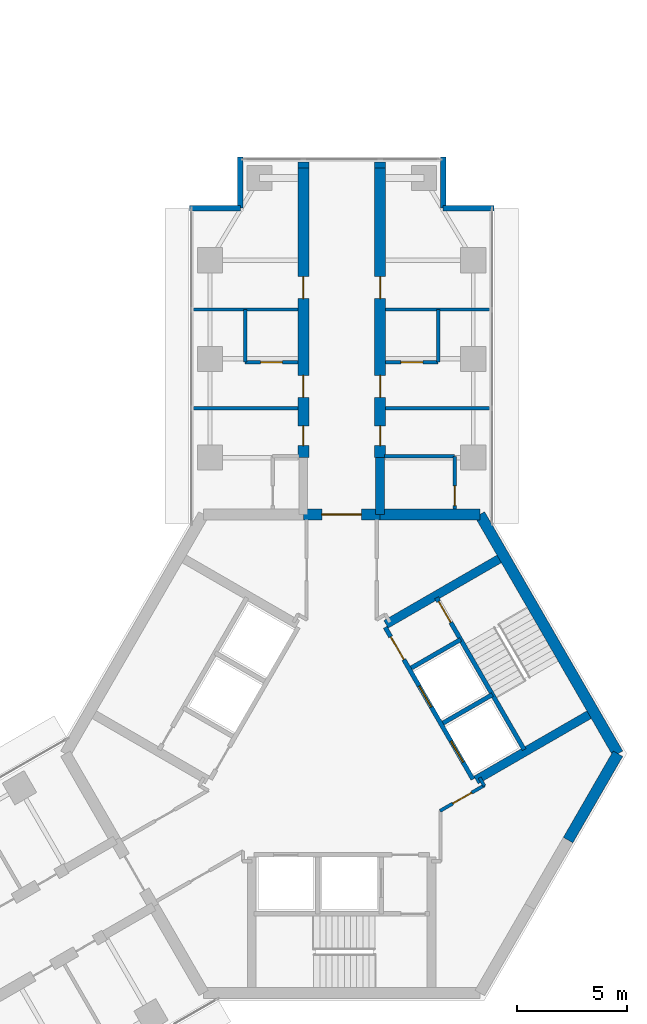
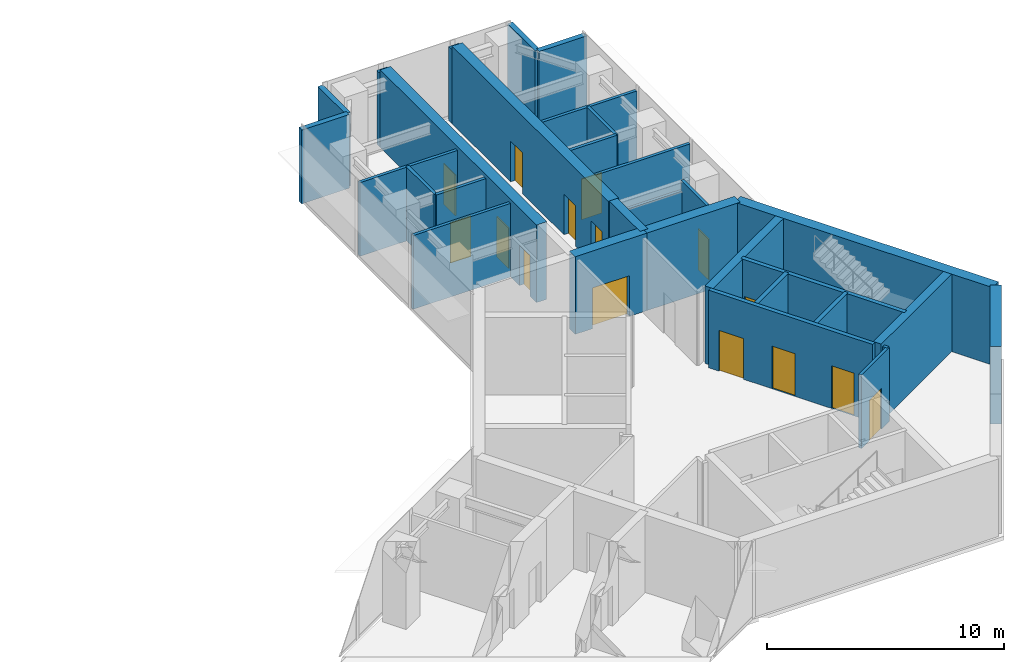
# One storey, part 15 of 17: 31 walls, 15 doors, 15 openings.
"""IFC4 building model written with IfcOpenShell, lengths in metres."""

from ifc_helpers import new_model, si_unit, direction, frame, frame_2d, origin, place, context, subcontext, project, spatial, rectangle, extrude, material, layer, layer_set, type_object, element, fill, save


model = new_model("IFC4")

# Units and contexts
model_context = context("Model", 3, precision=1e-05, world=origin(), true_north=direction((0.0, 1.0)))
body_context = subcontext(model_context, "Body", "Model", "MODEL_VIEW")
ifc_project = project(units=[si_unit("LENGTHUNIT", "METRE"), si_unit("AREAUNIT", "SQUARE_METRE"), si_unit("VOLUMEUNIT", "CUBIC_METRE"), si_unit("PLANEANGLEUNIT", "RADIAN"), si_unit("MASSUNIT", "GRAM", prefix="KILO")], contexts=[model_context])

# Site, building, storey
site_placement = place(None, origin())
site = spatial("IfcSite", under=ifc_project, at=site_placement, CompositionType="ELEMENT")
building_placement = place(site_placement, origin())
building = spatial("IfcBuilding", under=site, at=building_placement, Name="Upepo Twin Towers", CompositionType="ELEMENT")
storey_placement = place(building_placement, frame((0.0, 0.0, 202.5)))
storey = spatial("IfcBuildingStorey", under=building, at=storey_placement, Name="L49", CompositionType="ELEMENT", Elevation=202.5)

# Walls
ifc_material_1 = material(Name="Dense concrete blockwork", Category="masonry")
ifc_layer_1 = layer(ifc_material_1, 0.5)
ifc_layer_set_1 = layer_set([ifc_layer_1], Name="Buttress closer 500, blockwork with fire-stopping to the curtain wall")
wall_type_1 = type_object("IfcWallType", Name="Buttress closer 500, blockwork with fire-stopping to the curtain wall", PredefinedType="PARTITIONING", material=ifc_layer_set_1)
for number, where, z_axis, x_axis, name in (
    (1, (56.75, 8.699951171875, 0.0), (0.0, 0.0, 1.0), (0.0, 1.0, 0.0), "T2 L49 wing A buttress closer L"),
    (2, (60.25, 8.699951171875, 0.0), (0.0, 0.0, 1.0), (0.0, 1.0, 0.0), "T2 L49 wing A buttress closer R"),
):
    element("IfcWall", number, at=place(storey_placement, frame(where, z_axis=z_axis, x_axis=x_axis)), inside=storey, type_object=wall_type_1, Name=name, PredefinedType="PARTITIONING", context=body_context, shape_type="SweptSolid", body=[
        extrude(rectangle(XDim=0.28759765625, YDim=0.5, at=frame_2d((0.143798828125, 0.0))), origin(), (0.0, 0.0, 1.0), 3.800048828125),
    ])
ifc_material_2 = material(Name="Concrete C60/75", Category="concrete")
ifc_layer_2 = layer(ifc_material_2, 0.39990234375)
ifc_layer_set_2 = layer_set([ifc_layer_2], Name="Concrete C60/75")
wall_type_2 = type_object("IfcWallType", Name="Buttress wall 400 RC", PredefinedType="SHEAR", material=ifc_layer_set_2)
wall_1_placement = place(storey_placement, frame((60.25, -7.091552734375, 0.0), z_axis=(0.0, 0.0, 1.0), x_axis=(0.0, 1.0, 0.0)))
element("IfcWall", 3, at=wall_1_placement, inside=storey, type_object=wall_type_2, Name="T2 wing A buttress wall R", PredefinedType="SHEAR", context=body_context, shape_type="SweptSolid", body=[
    extrude(rectangle(XDim=2.591552734375, YDim=0.39990234375, at=frame_2d((1.2958984375, 0.0))), origin(), (0.0, 0.0, 1.0), 4.0),
])

# Wall, openings, doors
ifc_material_3 = material(Name="Concrete C60/75", Category="concrete")
ifc_layer_3 = layer(ifc_material_3, 0.5)
ifc_layer_set_3 = layer_set([ifc_layer_3], Name="Concrete C60/75")
wall_type_3 = type_object("IfcWallType", Name="Buttress wall 500 RC", PredefinedType="SHEAR", material=ifc_layer_set_3)
wall_2_placement = place(storey_placement, frame((56.75, -4.5, 0.0), z_axis=(0.0, 0.0, 1.0), x_axis=(0.0, 1.0, 0.0)))
wall_2 = element("IfcWall", 4, at=wall_2_placement, inside=storey, type_object=wall_type_3, Name="T2 wing A buttress wall L part 2", PredefinedType="SHEAR", context=body_context, shape_type="SweptSolid", body=[
    extrude(rectangle(XDim=13.199951171875, YDim=0.5, at=frame_2d((6.60009765625, 0.0))), origin(), (0.0, 0.0, 1.0), 4.0),
])
opening_1_placement = place(wall_2_placement, frame((0.550048828125, 0.0, 0.0)))
opening_1 = element("IfcOpeningElement", 5, at=opening_1_placement, cuts=wall_2, Name="Opening D11", PredefinedType="OPENING", context=body_context, shape_type="SweptSolid", body=[
    extrude(rectangle(XDim=0.89990234375, YDim=2.10009765625, at=frame_2d((0.449951171875, 1.050048828125))), frame((0.0, 0.260009765625, 0.0), z_axis=(0.0, -1.0, 0.0), x_axis=(1.0, 0.0, 0.0)), (0.0, 0.0, 1.0), 0.52001953125),
])
opening_2_placement = place(wall_2_placement, frame((2.75, 0.0, 0.0)))
opening_2 = element("IfcOpeningElement", 6, at=opening_2_placement, cuts=wall_2, Name="Opening D1", PredefinedType="OPENING", context=body_context, shape_type="SweptSolid", body=[
    extrude(rectangle(XDim=1.0, YDim=2.10009765625, at=frame_2d((0.5, 1.050048828125))), frame((0.0, 0.260009765625, 0.0), z_axis=(0.0, -1.0, 0.0), x_axis=(1.0, 0.0, 0.0)), (0.0, 0.0, 1.0), 0.52001953125),
])
opening_3_placement = place(wall_2_placement, frame((7.25, 0.0, 0.0)))
opening_3 = element("IfcOpeningElement", 7, at=opening_3_placement, cuts=wall_2, Name="Opening D1", PredefinedType="OPENING", context=body_context, shape_type="SweptSolid", body=[
    extrude(rectangle(XDim=1.0, YDim=2.10009765625, at=frame_2d((0.5, 1.050048828125))), frame((0.0, 0.260009765625, 0.0), z_axis=(0.0, -1.0, 0.0), x_axis=(1.0, 0.0, 0.0)), (0.0, 0.0, 1.0), 0.52001953125),
])
ifc_material_4 = material(Name="Timber doorset", Category="wood")
door_type_1 = type_object("IfcDoorType", Name="Room door 1000 FD30", OperationType="SINGLE_SWING_LEFT", PredefinedType="DOOR", material=ifc_material_4)
door_1_placement = place(opening_2_placement, origin())
door_1 = element("IfcDoor", 8, at=door_1_placement, inside=storey, type_object=door_type_1, Name="T2 L49 tutorial room door", OperationType="SINGLE_SWING_LEFT", OverallHeight=2.10009765625, OverallWidth=1.0, PredefinedType="DOOR", context=body_context, shape_type="SweptSolid", body=[
    extrude(rectangle(XDim=1.0, YDim=2.10009765625, at=frame_2d((0.5, 1.050048828125))), frame((0.0, 0.02490234375, 0.0), z_axis=(0.0, -1.0, 0.0), x_axis=(1.0, 0.0, 0.0)), (0.0, 0.0, 1.0), 0.050048828125),
])
fill(opening_2, door_1)
door_2_placement = place(opening_3_placement, origin())
door_2 = element("IfcDoor", 9, at=door_2_placement, inside=storey, type_object=door_type_1, Name="T2 L49 staff office door", OperationType="SINGLE_SWING_RIGHT", OverallHeight=2.10009765625, OverallWidth=1.0, PredefinedType="DOOR", context=body_context, shape_type="SweptSolid", body=[
    extrude(rectangle(XDim=1.0, YDim=2.10009765625, at=frame_2d((0.5, 1.050048828125))), frame((0.0, 0.02490234375, 0.0), z_axis=(0.0, -1.0, 0.0), x_axis=(1.0, 0.0, 0.0)), (0.0, 0.0, 1.0), 0.050048828125),
])
fill(opening_3, door_2)
ifc_material_5 = material(Name="Timber doorset", Category="wood")
door_type_2 = type_object("IfcDoorType", Name="Toilet door 900", OperationType="SINGLE_SWING_LEFT", PredefinedType="DOOR", material=ifc_material_5)
door_3_placement = place(opening_1_placement, origin())
door_3 = element("IfcDoor", 10, at=door_3_placement, inside=storey, type_object=door_type_2, Name="T2 L49 toilets door", OperationType="SINGLE_SWING_LEFT", OverallHeight=2.10009765625, OverallWidth=0.89990234375, PredefinedType="DOOR", context=body_context, shape_type="SweptSolid", body=[
    extrude(rectangle(XDim=0.89990234375, YDim=2.10009765625, at=frame_2d((0.449951171875, 1.050048828125))), frame((0.0, 0.02490234375, 0.0), z_axis=(0.0, -1.0, 0.0), x_axis=(1.0, 0.0, 0.0)), (0.0, 0.0, 1.0), 0.050048828125),
])
fill(opening_1, door_3)

wall_3_placement = place(storey_placement, frame((60.25, -4.5, 0.0), z_axis=(0.0, 0.0, 1.0), x_axis=(0.0, 1.0, 0.0)))
wall_3 = element("IfcWall", 11, at=wall_3_placement, inside=storey, type_object=wall_type_3, Name="T2 wing A buttress wall R part 2", PredefinedType="SHEAR", context=body_context, shape_type="SweptSolid", body=[
    extrude(rectangle(XDim=13.199951171875, YDim=0.5, at=frame_2d((6.60009765625, 0.0))), origin(), (0.0, 0.0, 1.0), 4.0),
])
opening_4_placement = place(wall_3_placement, frame((0.550048828125, 0.0, 0.0)))
opening_4 = element("IfcOpeningElement", 12, at=opening_4_placement, cuts=wall_3, Name="Opening D11", PredefinedType="OPENING", context=body_context, shape_type="SweptSolid", body=[
    extrude(rectangle(XDim=0.89990234375, YDim=2.10009765625, at=frame_2d((0.449951171875, 1.050048828125))), frame((0.0, 0.260009765625, 0.0), z_axis=(0.0, -1.0, 0.0), x_axis=(1.0, 0.0, 0.0)), (0.0, 0.0, 1.0), 0.52001953125),
])
opening_5_placement = place(wall_3_placement, frame((2.75, 0.0, 0.0)))
opening_5 = element("IfcOpeningElement", 13, at=opening_5_placement, cuts=wall_3, Name="Opening D1", PredefinedType="OPENING", context=body_context, shape_type="SweptSolid", body=[
    extrude(rectangle(XDim=1.0, YDim=2.10009765625, at=frame_2d((0.5, 1.050048828125))), frame((0.0, 0.260009765625, 0.0), z_axis=(0.0, -1.0, 0.0), x_axis=(1.0, 0.0, 0.0)), (0.0, 0.0, 1.0), 0.52001953125),
])
opening_6_placement = place(wall_3_placement, frame((7.25, 0.0, 0.0)))
opening_6 = element("IfcOpeningElement", 14, at=opening_6_placement, cuts=wall_3, Name="Opening D1", PredefinedType="OPENING", context=body_context, shape_type="SweptSolid", body=[
    extrude(rectangle(XDim=1.0, YDim=2.10009765625, at=frame_2d((0.5, 1.050048828125))), frame((0.0, 0.260009765625, 0.0), z_axis=(0.0, -1.0, 0.0), x_axis=(1.0, 0.0, 0.0)), (0.0, 0.0, 1.0), 0.52001953125),
])
door_4_placement = place(opening_5_placement, origin())
door_4 = element("IfcDoor", 15, at=door_4_placement, inside=storey, type_object=door_type_1, Name="T2 L49 seminar room door", OperationType="SINGLE_SWING_LEFT", OverallHeight=2.10009765625, OverallWidth=1.0, PredefinedType="DOOR", context=body_context, shape_type="SweptSolid", body=[
    extrude(rectangle(XDim=1.0, YDim=2.10009765625, at=frame_2d((0.5, 1.050048828125))), frame((0.0, 0.02490234375, 0.0), z_axis=(0.0, -1.0, 0.0), x_axis=(1.0, 0.0, 0.0)), (0.0, 0.0, 1.0), 0.050048828125),
])
fill(opening_5, door_4)
door_5_placement = place(opening_6_placement, origin())
door_5 = element("IfcDoor", 16, at=door_5_placement, inside=storey, type_object=door_type_1, Name="T2 L49 tutorial room door", OperationType="SINGLE_SWING_RIGHT", OverallHeight=2.10009765625, OverallWidth=1.0, PredefinedType="DOOR", context=body_context, shape_type="SweptSolid", body=[
    extrude(rectangle(XDim=1.0, YDim=2.10009765625, at=frame_2d((0.5, 1.050048828125))), frame((0.0, 0.02490234375, 0.0), z_axis=(0.0, -1.0, 0.0), x_axis=(1.0, 0.0, 0.0)), (0.0, 0.0, 1.0), 0.050048828125),
])
fill(opening_6, door_5)
door_6_placement = place(opening_4_placement, origin())
door_6 = element("IfcDoor", 17, at=door_6_placement, inside=storey, type_object=door_type_2, Name="T2 L49 accessible wc door", OperationType="SINGLE_SWING_LEFT", OverallHeight=2.10009765625, OverallWidth=0.89990234375, PredefinedType="DOOR", context=body_context, shape_type="SweptSolid", body=[
    extrude(rectangle(XDim=0.89990234375, YDim=2.10009765625, at=frame_2d((0.449951171875, 1.050048828125))), frame((0.0, 0.02490234375, 0.0), z_axis=(0.0, -1.0, 0.0), x_axis=(1.0, 0.0, 0.0)), (0.0, 0.0, 1.0), 0.050048828125),
])
fill(opening_4, door_6)

# Wall
ifc_material_6 = material(Name="Concrete C60/75", Category="concrete")
ifc_layer_4 = layer(ifc_material_6, 0.5)
ifc_layer_set_4 = layer_set([ifc_layer_4], Name="Concrete C60/75")
wall_type_4 = type_object("IfcWallType", Name="Core wall 500 RC", PredefinedType="SHEAR", material=ifc_layer_set_4)
wall_4_placement = place(storey_placement, frame((64.7978515625, -7.091552734375, 0.0), z_axis=(0.0, 0.0, 1.0), x_axis=(-1.0, 0.0, 0.0)))
element("IfcWall", 18, at=wall_4_placement, inside=storey, type_object=wall_type_4, Name="T2 core wall 000 R", PredefinedType="SHEAR", context=body_context, shape_type="SweptSolid", body=[
    extrude(rectangle(XDim=4.5478515625, YDim=0.5, at=frame_2d((2.27392578125, 0.0))), origin(), (0.0, 0.0, 1.0), 4.0),
])

# Wall, opening, door
wall_5_placement = place(storey_placement, frame((60.25, -7.091552734375, 0.0), z_axis=(0.0, 0.0, 1.0), x_axis=(-1.0, 0.0, 0.0)))
wall_5 = element("IfcWall", 19, at=wall_5_placement, inside=storey, type_object=wall_type_4, Name="T2 core wall 000", PredefinedType="SHEAR", context=body_context, shape_type="SweptSolid", body=[
    extrude(rectangle(XDim=3.5, YDim=0.5, at=frame_2d((1.75, 0.0))), origin(), (0.0, 0.0, 1.0), 4.0),
])
opening_7_placement = place(wall_5_placement, frame((0.85009765625, 0.0, 0.0)))
opening_7 = element("IfcOpeningElement", 20, at=opening_7_placement, cuts=wall_5, Name="Opening D2", PredefinedType="OPENING", context=body_context, shape_type="SweptSolid", body=[
    extrude(rectangle(XDim=1.800048828125, YDim=2.10009765625, at=frame_2d((0.89990234375, 1.050048828125))), frame((0.0, 0.260009765625, 0.0), z_axis=(0.0, -1.0, 0.0), x_axis=(1.0, 0.0, 0.0)), (0.0, 0.0, 1.0), 0.52001953125),
])
ifc_material_7 = material(Name="Timber doorset", Category="wood")
door_type_3 = type_object("IfcDoorType", Name="Corridor double door 1800 FD60", OperationType="DOUBLE_DOOR_DOUBLE_SWING", PredefinedType="DOOR", material=ifc_material_7)
door_7_placement = place(opening_7_placement, origin())
door_7 = element("IfcDoor", 21, at=door_7_placement, inside=storey, type_object=door_type_3, Name="T2 L49 wing A corridor door", OperationType="DOUBLE_DOOR_DOUBLE_SWING", OverallHeight=2.10009765625, OverallWidth=1.800048828125, PredefinedType="DOOR", context=body_context, shape_type="SweptSolid", body=[
    extrude(rectangle(XDim=1.800048828125, YDim=2.10009765625, at=frame_2d((0.89990234375, 1.050048828125))), frame((0.0, 0.02490234375, 0.0), z_axis=(0.0, -1.0, 0.0), x_axis=(1.0, 0.0, 0.0)), (0.0, 0.0, 1.0), 0.050048828125),
])
fill(opening_7, door_7)

# Walls
wall_6_placement = place(storey_placement, frame((68.82177734375, -21.938720703125, 0.0), z_axis=(0.0, 0.0, 1.0), x_axis=(0.500024481964, 0.866011268655, 0.0)))
element("IfcWall", 22, at=wall_6_placement, inside=storey, type_object=wall_type_4, Name="T2 core wall 240 L", PredefinedType="SHEAR", context=body_context, shape_type="SweptSolid", body=[
    extrude(rectangle(XDim=4.548095703125, YDim=0.5, at=frame_2d((2.27392578125, 0.0))), origin(), (0.0, 0.0, 1.0), 4.0),
])
wall_7_placement = place(storey_placement, frame((71.095947265625, -18.0, 0.0), z_axis=(0.0, 0.0, 1.0), x_axis=(-0.500005998175, 0.866021940709, 0.0)))
element("IfcWall", 23, at=wall_7_placement, inside=storey, type_object=wall_type_4, Name="T2 core wall 300", PredefinedType="SHEAR", context=body_context, shape_type="SweptSolid", body=[
    extrude(rectangle(XDim=12.595947265625, YDim=0.5, at=frame_2d((6.2978515625, 0.0))), origin(), (0.0, 0.0, 1.0), 4.0),
])
ifc_material_8 = material(Name="Blockwork with anodised aluminium cladding", Category="masonry")
ifc_layer_5 = layer(ifc_material_8, 0.25)
ifc_layer_set_5 = layer_set([ifc_layer_5], Name="Notch cladding wall 250, pale metal")
wall_type_5 = type_object("IfcWallType", Name="Notch cladding wall 250, pale metal", PredefinedType="STANDARD", material=ifc_layer_set_5)
for number, where, z_axis, x_axis, name in (
    (24, (51.550048828125, 6.875, 0.0), (0.0, 0.0, 1.0), (1.0, 0.0, 0.0), "T2 L49 wing A notch wall L1"),
    (25, (53.875, 6.875, 0.0), (0.0, 0.0, 1.0), (0.0, 1.0, 0.0), "T2 L49 wing A notch wall L2"),
    (26, (65.449951171875, 6.875, 0.0), (0.0, 0.0, 1.0), (-1.0, 0.0, 0.0), "T2 L49 wing A notch wall R1"),
    (27, (63.125, 6.875, 0.0), (0.0, 0.0, 1.0), (0.0, 1.0, 0.0), "T2 L49 wing A notch wall R2"),
):
    element("IfcWall", number, at=place(storey_placement, frame(where, z_axis=z_axis, x_axis=x_axis)), inside=storey, type_object=wall_type_5, Name=name, PredefinedType="STANDARD", context=body_context, shape_type="SweptSolid", body=[
        extrude(rectangle(XDim=2.324951171875, YDim=0.25, at=frame_2d((1.16259765625, 0.0))), origin(), (0.0, 0.0, 1.0), 3.800048828125),
    ])

# Wall, openings, doors
ifc_material_9 = material(Name="Concrete C40/50", Category="concrete")
ifc_layer_6 = layer(ifc_material_9, 0.199951171875)
ifc_layer_set_6 = layer_set([ifc_layer_6], Name="Concrete C40/50")
wall_type_6 = type_object("IfcWallType", Name="Shaft wall 200 RC", PredefinedType="SHEAR", material=ifc_layer_set_6)
wall_8_placement = place(storey_placement, frame((64.483642578125, -19.1640625, 0.0), z_axis=(0.0, 0.0, 1.0), x_axis=(-0.49999894854, 0.866026010844, 0.0)))
wall_8 = element("IfcWall", 28, at=wall_8_placement, inside=storey, type_object=wall_type_6, Name="T2 core W300 front wall", PredefinedType="SHEAR", context=body_context, shape_type="SweptSolid", body=[
    extrude(rectangle(XDim=8.0, YDim=0.199951171875, at=frame_2d((4.0, 0.0))), origin(), (0.0, 0.0, 1.0), 4.0),
])
opening_8_placement = place(wall_8_placement, frame((6.300048828125, 0.0, 0.0)))
opening_8 = element("IfcOpeningElement", 29, at=opening_8_placement, cuts=wall_8, Name="Opening D4", PredefinedType="OPENING", context=body_context, shape_type="SweptSolid", body=[
    extrude(rectangle(XDim=1.199951171875, YDim=2.10009765625, at=frame_2d((0.60009765625, 1.050048828125))), frame((0.0, 0.10986328125, 0.0), z_axis=(0.0, -1.0, 0.0), x_axis=(1.0, 0.0, 0.0)), (0.0, 0.0, 1.0), 0.219970703125),
])
opening_9_placement = place(wall_8_placement, frame((0.89990234375, 0.0, 0.0)))
opening_9 = element("IfcOpeningElement", 30, at=opening_9_placement, cuts=wall_8, Name="Opening LD1", PredefinedType="OPENING", context=body_context, shape_type="SweptSolid", body=[
    extrude(rectangle(XDim=1.10009765625, YDim=2.199951171875, at=frame_2d((0.550048828125, 1.10009765625))), frame((0.0, 0.10986328125, 0.0), z_axis=(0.0, -1.0, 0.0), x_axis=(1.0, 0.0, 0.0)), (0.0, 0.0, 1.0), 0.219970703125),
])
opening_10_placement = place(wall_8_placement, frame((3.800048828125, 0.0, 0.0)))
opening_10 = element("IfcOpeningElement", 31, at=opening_10_placement, cuts=wall_8, Name="Opening LD1", PredefinedType="OPENING", context=body_context, shape_type="SweptSolid", body=[
    extrude(rectangle(XDim=1.10009765625, YDim=2.199951171875, at=frame_2d((0.550048828125, 1.10009765625))), frame((0.0, 0.10986328125, 0.0), z_axis=(0.0, -1.0, 0.0), x_axis=(1.0, 0.0, 0.0)), (0.0, 0.0, 1.0), 0.219970703125),
])
ifc_material_10 = material(Name="Steel doorset", Category="steel")
door_type_4 = type_object("IfcDoorType", Name="Lift landing door 1100", OperationType="DOUBLE_DOOR_SLIDING", PredefinedType="DOOR", material=ifc_material_10)
door_8_placement = place(opening_9_placement, origin())
door_8 = element("IfcDoor", 32, at=door_8_placement, inside=storey, type_object=door_type_4, Name="T2 L49 lift UL1 landing door", OperationType="DOUBLE_DOOR_SLIDING", OverallHeight=2.199951171875, OverallWidth=1.10009765625, PredefinedType="DOOR", context=body_context, shape_type="SweptSolid", body=[
    extrude(rectangle(XDim=1.10009765625, YDim=2.199951171875, at=frame_2d((0.550048828125, 1.10009765625))), frame((0.0, 0.02490234375, 0.0), z_axis=(0.0, -1.0, 0.0), x_axis=(1.0, 0.0, 0.0)), (0.0, 0.0, 1.0), 0.050048828125),
])
fill(opening_9, door_8)
door_9_placement = place(opening_10_placement, origin())
door_9 = element("IfcDoor", 33, at=door_9_placement, inside=storey, type_object=door_type_4, Name="T2 L49 lift UL2 landing door", OperationType="DOUBLE_DOOR_SLIDING", OverallHeight=2.199951171875, OverallWidth=1.10009765625, PredefinedType="DOOR", context=body_context, shape_type="SweptSolid", body=[
    extrude(rectangle(XDim=1.10009765625, YDim=2.199951171875, at=frame_2d((0.550048828125, 1.10009765625))), frame((0.0, 0.02490234375, 0.0), z_axis=(0.0, -1.0, 0.0), x_axis=(1.0, 0.0, 0.0)), (0.0, 0.0, 1.0), 0.050048828125),
])
fill(opening_10, door_9)
ifc_material_11 = material(Name="Timber doorset", Category="wood")
door_type_5 = type_object("IfcDoorType", Name="Lobby door 1200 FD60", OperationType="SINGLE_SWING_LEFT", PredefinedType="DOOR", material=ifc_material_11)
door_10_placement = place(opening_8_placement, origin())
door_10 = element("IfcDoor", 34, at=door_10_placement, inside=storey, type_object=door_type_5, Name="T2 L49 W300 lobby door", OperationType="SINGLE_SWING_RIGHT", OverallHeight=2.10009765625, OverallWidth=1.199951171875, PredefinedType="DOOR", context=body_context, shape_type="SweptSolid", body=[
    extrude(rectangle(XDim=1.199951171875, YDim=2.10009765625, at=frame_2d((0.60009765625, 1.050048828125))), frame((0.0, 0.02490234375, 0.0), z_axis=(0.0, -1.0, 0.0), x_axis=(1.0, 0.0, 0.0)), (0.0, 0.0, 1.0), 0.050048828125),
])
fill(opening_8, door_10)

# Walls
wall_9_placement = place(storey_placement, frame((63.120361328125, -16.6025390625, 0.0), z_axis=(0.0, 0.0, 1.0), x_axis=(0.866062058628, 0.499936506574, 0.0)))
element("IfcWall", 35, at=wall_9_placement, inside=storey, type_object=wall_type_6, Name="T2 core W300 shaft divider", PredefinedType="SHEAR", context=body_context, shape_type="SweptSolid", body=[
    extrude(rectangle(XDim=2.599853515625, YDim=0.199951171875, at=frame_2d((1.2998046875, 0.0))), origin(), (0.0, 0.0, 1.0), 4.0),
])
wall_10_placement = place(storey_placement, frame((61.67041015625, -14.091064453125, 0.0), z_axis=(0.0, 0.0, 1.0), x_axis=(0.86603858612, 0.49997716683, 0.0)))
element("IfcWall", 36, at=wall_10_placement, inside=storey, type_object=wall_type_6, Name="T2 core W300 lobby wall", PredefinedType="SHEAR", context=body_context, shape_type="SweptSolid", body=[
    extrude(rectangle(XDim=2.599609375, YDim=0.199951171875, at=frame_2d((1.2998046875, 0.0))), origin(), (0.0, 0.0, 1.0), 4.0),
])

# Wall, opening, door
wall_11_placement = place(storey_placement, frame((66.822021484375, -17.814208984375, 0.0), z_axis=(0.0, 0.0, 1.0), x_axis=(-0.49999894854, 0.866026010844, 0.0)))
wall_11 = element("IfcWall", 37, at=wall_11_placement, inside=storey, type_object=wall_type_6, Name="T2 core W300 stair wall", PredefinedType="SHEAR", context=body_context, shape_type="SweptSolid", body=[
    extrude(rectangle(XDim=8.0, YDim=0.199951171875, at=frame_2d((4.0, 0.0))), origin(), (0.0, 0.0, 1.0), 4.0),
])
opening_11_placement = place(wall_11_placement, frame((6.699951171875, 0.0, 0.0)))
opening_11 = element("IfcOpeningElement", 38, at=opening_11_placement, cuts=wall_11, Name="Opening D3", PredefinedType="OPENING", context=body_context, shape_type="SweptSolid", body=[
    extrude(rectangle(XDim=1.10009765625, YDim=2.10009765625, at=frame_2d((0.550048828125, 1.050048828125))), frame((0.0, 0.10986328125, 0.0), z_axis=(0.0, -1.0, 0.0), x_axis=(1.0, 0.0, 0.0)), (0.0, 0.0, 1.0), 0.219970703125),
])
ifc_material_12 = material(Name="Timber doorset", Category="wood")
door_type_6 = type_object("IfcDoorType", Name="Stair door 1100 FD60", OperationType="SINGLE_SWING_LEFT", PredefinedType="DOOR", material=ifc_material_12)
door_11_placement = place(opening_11_placement, origin())
door_11 = element("IfcDoor", 39, at=door_11_placement, inside=storey, type_object=door_type_6, Name="T2 L49 stair door", OperationType="SINGLE_SWING_RIGHT", OverallHeight=2.10009765625, OverallWidth=1.10009765625, PredefinedType="DOOR", context=body_context, shape_type="SweptSolid", body=[
    extrude(rectangle(XDim=1.10009765625, YDim=2.10009765625, at=frame_2d((0.550048828125, 1.050048828125))), frame((0.0, 0.02490234375, 0.0), z_axis=(0.0, -1.0, 0.0), x_axis=(1.0, 0.0, 0.0)), (0.0, 0.0, 1.0), 0.050048828125),
])
fill(opening_11, door_11)

# Walls
ifc_material_13 = material(Name="Concrete C40/50", Category="concrete")
ifc_layer_7 = layer(ifc_material_13, 0.39990234375)
ifc_layer_set_7 = layer_set([ifc_layer_7], Name="Concrete C40/50")
wall_type_7 = type_object("IfcWallType", Name="Shaft wall 400 RC", PredefinedType="SHEAR", material=ifc_layer_set_7)
wall_12_placement = place(storey_placement, frame((60.520263671875, -12.099365234375, 0.0), z_axis=(0.0, 0.0, 1.0), x_axis=(0.86602319114, 0.500003832394, 0.0)))
element("IfcWall", 40, at=wall_12_placement, inside=storey, type_object=wall_type_7, Name="T2 core W300 side wall N", PredefinedType="SHEAR", context=body_context, shape_type="SweptSolid", body=[
    extrude(rectangle(XDim=5.95849609375, YDim=0.39990234375, at=frame_2d((2.979248046875, 0.0))), origin(), (0.0, 0.0, 1.0), 4.0),
])
wall_13_placement = place(storey_placement, frame((64.620361328125, -19.20068359375, 0.0), z_axis=(0.0, 0.0, 1.0), x_axis=(0.866012946976, 0.500021575205, 0.0)))
element("IfcWall", 41, at=wall_13_placement, inside=storey, type_object=wall_type_7, Name="T2 core W300 side wall S", PredefinedType="SHEAR", context=body_context, shape_type="SweptSolid", body=[
    extrude(rectangle(XDim=5.958251953125, YDim=0.39990234375, at=frame_2d((2.97900390625, 0.0))), origin(), (0.0, 0.0, 1.0), 4.0),
])
ifc_material_14 = material(Name="Gypsum board on steel studs", Category="steel")
ifc_layer_8 = layer(ifc_material_14, 0.14990234375)
ifc_layer_set_8 = layer_set([ifc_layer_8], Name="Teaching partition 150 acoustic")
wall_type_8 = type_object("IfcWallType", Name="Teaching partition 150 acoustic", PredefinedType="PARTITIONING", material=ifc_layer_set_8)
for number, where, z_axis, x_axis, name in (
    (42, (56.5, -2.25, 0.0), (0.0, 0.0, 1.0), (-1.0, 0.0, 0.0), "T2 partition AL at 15.75"),
    (43, (56.5, 2.25, 0.0), (0.0, 0.0, 1.0), (-1.0, 0.0, 0.0), "T2 partition AL at 20.25"),
):
    element("IfcWall", number, at=place(storey_placement, frame(where, z_axis=z_axis, x_axis=x_axis)), inside=storey, type_object=wall_type_8, Name=name, PredefinedType="PARTITIONING", context=body_context, shape_type="SweptSolid", body=[
        extrude(rectangle(XDim=4.75, YDim=0.14990234375, at=frame_2d((2.375, 0.0))), origin(), (0.0, 0.0, 1.0), 3.800048828125),
    ])
wall_14_placement = place(storey_placement, frame((54.10009765625, -0.14990234375, 0.0), z_axis=(0.0, 0.0, 1.0), x_axis=(0.0, 1.0, 0.0)))
element("IfcWall", 44, at=wall_14_placement, inside=storey, type_object=wall_type_8, Name="T2 inner room partition AL at 17.85", PredefinedType="PARTITIONING", context=body_context, shape_type="SweptSolid", body=[
    extrude(rectangle(XDim=2.39990234375, YDim=0.14990234375, at=frame_2d((1.199951171875, 0.0))), origin(), (0.0, 0.0, 1.0), 3.800048828125),
])

# Wall, opening, door
wall_15_placement = place(storey_placement, frame((56.5, -0.14990234375, 0.0), z_axis=(0.0, 0.0, 1.0), x_axis=(-1.0, 0.0, 0.0)))
wall_15 = element("IfcWall", 45, at=wall_15_placement, inside=storey, type_object=wall_type_8, Name="T2 inner room partition AL end at 17.85", PredefinedType="PARTITIONING", context=body_context, shape_type="SweptSolid", body=[
    extrude(rectangle(XDim=2.39990234375, YDim=0.14990234375, at=frame_2d((1.199951171875, 0.0))), origin(), (0.0, 0.0, 1.0), 3.800048828125),
])
opening_12_placement = place(wall_15_placement, frame((0.699951171875, 0.0, 0.0)))
opening_12 = element("IfcOpeningElement", 46, at=opening_12_placement, cuts=wall_15, Name="Opening D1", PredefinedType="OPENING", context=body_context, shape_type="SweptSolid", body=[
    extrude(rectangle(XDim=1.0, YDim=2.10009765625, at=frame_2d((0.5, 1.050048828125))), frame((0.0, 0.0849609375, 0.0), z_axis=(0.0, -1.0, 0.0), x_axis=(1.0, 0.0, 0.0)), (0.0, 0.0, 1.0), 0.169921875),
])
door_12_placement = place(opening_12_placement, origin())
door_12 = element("IfcDoor", 47, at=door_12_placement, inside=storey, type_object=door_type_1, Name="T2 L49 inner room door", OperationType="SINGLE_SWING_LEFT", OverallHeight=2.10009765625, OverallWidth=1.0, PredefinedType="DOOR", context=body_context, shape_type="SweptSolid", body=[
    extrude(rectangle(XDim=1.0, YDim=2.10009765625, at=frame_2d((0.5, 1.050048828125))), frame((0.0, 0.02490234375, 0.0), z_axis=(0.0, -1.0, 0.0), x_axis=(1.0, 0.0, 0.0)), (0.0, 0.0, 1.0), 0.050048828125),
])
fill(opening_12, door_12)

# Walls
for number, where, z_axis, x_axis, name in (
    (48, (60.5, -2.25, 0.0), (0.0, 0.0, 1.0), (1.0, 0.0, 0.0), "T2 partition AR at 15.75"),
    (49, (60.5, 2.25, 0.0), (0.0, 0.0, 1.0), (1.0, 0.0, 0.0), "T2 partition AR at 20.25"),
):
    element("IfcWall", number, at=place(storey_placement, frame(where, z_axis=z_axis, x_axis=x_axis)), inside=storey, type_object=wall_type_8, Name=name, PredefinedType="PARTITIONING", context=body_context, shape_type="SweptSolid", body=[
        extrude(rectangle(XDim=4.75, YDim=0.14990234375, at=frame_2d((2.375, 0.0))), origin(), (0.0, 0.0, 1.0), 3.800048828125),
    ])
wall_16_placement = place(storey_placement, frame((62.89990234375, -0.14990234375, 0.0), z_axis=(0.0, 0.0, 1.0), x_axis=(0.0, 1.0, 0.0)))
element("IfcWall", 50, at=wall_16_placement, inside=storey, type_object=wall_type_8, Name="T2 inner room partition AR at 17.85", PredefinedType="PARTITIONING", context=body_context, shape_type="SweptSolid", body=[
    extrude(rectangle(XDim=2.39990234375, YDim=0.14990234375, at=frame_2d((1.199951171875, 0.0))), origin(), (0.0, 0.0, 1.0), 3.800048828125),
])

# Wall, opening, door
wall_17_placement = place(storey_placement, frame((60.5, -0.14990234375, 0.0), z_axis=(0.0, 0.0, 1.0), x_axis=(1.0, 0.0, 0.0)))
wall_17 = element("IfcWall", 51, at=wall_17_placement, inside=storey, type_object=wall_type_8, Name="T2 inner room partition AR end at 17.85", PredefinedType="PARTITIONING", context=body_context, shape_type="SweptSolid", body=[
    extrude(rectangle(XDim=2.39990234375, YDim=0.14990234375, at=frame_2d((1.199951171875, 0.0))), origin(), (0.0, 0.0, 1.0), 3.800048828125),
])
opening_13_placement = place(wall_17_placement, frame((0.699951171875, 0.0, 0.0)))
opening_13 = element("IfcOpeningElement", 52, at=opening_13_placement, cuts=wall_17, Name="Opening D1", PredefinedType="OPENING", context=body_context, shape_type="SweptSolid", body=[
    extrude(rectangle(XDim=1.0, YDim=2.10009765625, at=frame_2d((0.5, 1.050048828125))), frame((0.0, 0.0849609375, 0.0), z_axis=(0.0, -1.0, 0.0), x_axis=(1.0, 0.0, 0.0)), (0.0, 0.0, 1.0), 0.169921875),
])
door_13_placement = place(opening_13_placement, origin())
door_13 = element("IfcDoor", 53, at=door_13_placement, inside=storey, type_object=door_type_1, Name="T2 L49 inner room door", OperationType="SINGLE_SWING_LEFT", OverallHeight=2.10009765625, OverallWidth=1.0, PredefinedType="DOOR", context=body_context, shape_type="SweptSolid", body=[
    extrude(rectangle(XDim=1.0, YDim=2.10009765625, at=frame_2d((0.5, 1.050048828125))), frame((0.0, 0.02490234375, 0.0), z_axis=(0.0, -1.0, 0.0), x_axis=(1.0, 0.0, 0.0)), (0.0, 0.0, 1.0), 0.050048828125),
])
fill(opening_13, door_13)

wall_18_placement = place(storey_placement, frame((63.64990234375, -6.842041015625, 0.0), z_axis=(0.0, 0.0, 1.0), x_axis=(0.0, 1.0, 0.0)))
wall_18 = element("IfcWall", 54, at=wall_18_placement, inside=storey, type_object=wall_type_8, Name="T2 WC bay partition AR at 11.16", PredefinedType="PARTITIONING", context=body_context, shape_type="SweptSolid", body=[
    extrude(rectangle(XDim=2.400146484375, YDim=0.14990234375, at=frame_2d((1.2001953125, 0.0))), origin(), (0.0, 0.0, 1.0), 3.800048828125),
])
opening_14_placement = place(wall_18_placement, frame((0.14990234375, 0.0, 0.0)))
opening_14 = element("IfcOpeningElement", 55, at=opening_14_placement, cuts=wall_18, Name="Opening D14", PredefinedType="OPENING", context=body_context, shape_type="SweptSolid", body=[
    extrude(rectangle(XDim=0.89990234375, YDim=2.10009765625, at=frame_2d((0.449951171875, 1.050048828125))), frame((0.0, 0.0849609375, 0.0), z_axis=(0.0, -1.0, 0.0), x_axis=(1.0, 0.0, 0.0)), (0.0, 0.0, 1.0), 0.169921875),
])
ifc_material_15 = material(Name="Timber doorset", Category="wood")
door_type_7 = type_object("IfcDoorType", Name="Office door 900 FD30", OperationType="SINGLE_SWING_LEFT", PredefinedType="DOOR", material=ifc_material_15)
door_14_placement = place(opening_14_placement, origin())
door_14 = element("IfcDoor", 56, at=door_14_placement, inside=storey, type_object=door_type_7, Name="T2 L49 WC bay inner room door", OperationType="SINGLE_SWING_LEFT", OverallHeight=2.10009765625, OverallWidth=0.89990234375, PredefinedType="DOOR", context=body_context, shape_type="SweptSolid", body=[
    extrude(rectangle(XDim=0.89990234375, YDim=2.10009765625, at=frame_2d((0.449951171875, 1.050048828125))), frame((0.0, 0.02490234375, 0.0), z_axis=(0.0, -1.0, 0.0), x_axis=(1.0, 0.0, 0.0)), (0.0, 0.0, 1.0), 0.050048828125),
])
fill(opening_14, door_14)

# Walls
wall_19_placement = place(storey_placement, frame((60.449951171875, -4.44189453125, 0.0), z_axis=(0.0, 0.0, 1.0), x_axis=(1.0, 0.0, 0.0)))
element("IfcWall", 57, at=wall_19_placement, inside=storey, type_object=wall_type_8, Name="T2 WC bay partition AR end at 13.56", PredefinedType="PARTITIONING", context=body_context, shape_type="SweptSolid", body=[
    extrude(rectangle(XDim=3.199951171875, YDim=0.14990234375, at=frame_2d((1.60009765625, 0.0))), origin(), (0.0, 0.0, 1.0), 3.266845703125),
])
wall_20_placement = place(storey_placement, frame((64.78857421875, -19.092041015625, 0.0), z_axis=(0.0, 0.0, 1.0), x_axis=(0.499804398801, -0.866138304741, 0.0)))
element("IfcWall", 58, at=wall_20_placement, inside=storey, type_object=wall_type_8, Name="T2 core room partition 14", PredefinedType="PARTITIONING", context=body_context, shape_type="SweptSolid", body=[
    extrude(rectangle(XDim=0.429931640625, YDim=0.14990234375, at=frame_2d((0.21484375, 0.0))), origin(), (0.0, 0.0, 1.0), 3.800048828125),
])

# Wall, opening, door
wall_21_placement = place(storey_placement, frame((65.0107421875, -19.43701171875, 0.0), z_axis=(0.0, 0.0, 1.0), x_axis=(-0.865982457891, -0.500074377092, 0.0)))
wall_21 = element("IfcWall", 59, at=wall_21_placement, inside=storey, type_object=wall_type_8, Name="T2 core room partition 15", PredefinedType="PARTITIONING", context=body_context, shape_type="SweptSolid", body=[
    extrude(rectangle(XDim=2.342041015625, YDim=0.14990234375, at=frame_2d((1.1708984375, 0.0))), origin(), (0.0, 0.0, 1.0), 3.800048828125),
])
opening_15_placement = place(wall_21_placement, frame((0.6708984375, 0.0, 0.0)))
opening_15 = element("IfcOpeningElement", 60, at=opening_15_placement, cuts=wall_21, Name="Opening D1", PredefinedType="OPENING", context=body_context, shape_type="SweptSolid", body=[
    extrude(rectangle(XDim=1.0, YDim=2.10009765625, at=frame_2d((0.5, 1.050048828125))), frame((0.0, 0.0849609375, 0.0), z_axis=(0.0, -1.0, 0.0), x_axis=(1.0, 0.0, 0.0)), (0.0, 0.0, 1.0), 0.169921875),
])
door_15_placement = place(opening_15_placement, origin())
door_15 = element("IfcDoor", 61, at=door_15_placement, inside=storey, type_object=door_type_1, Name="T2 L49 core room door K3", OperationType="SINGLE_SWING_RIGHT", OverallHeight=2.10009765625, OverallWidth=1.0, PredefinedType="DOOR", context=body_context, shape_type="SweptSolid", body=[
    extrude(rectangle(XDim=1.0, YDim=2.10009765625, at=frame_2d((0.5, 1.050048828125))), frame((0.0, 0.02490234375, 0.0), z_axis=(0.0, -1.0, 0.0), x_axis=(1.0, 0.0, 0.0)), (0.0, 0.0, 1.0), 0.050048828125),
])
fill(opening_15, door_15)

save(model, "model.ifc")
